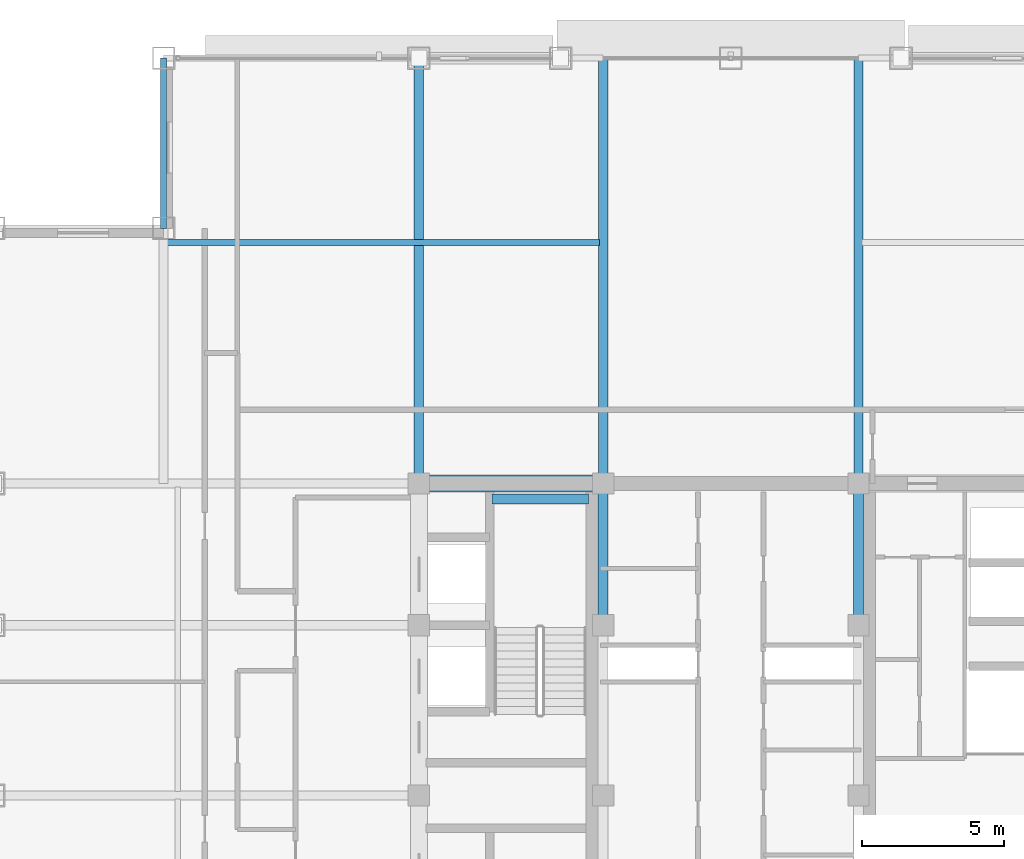
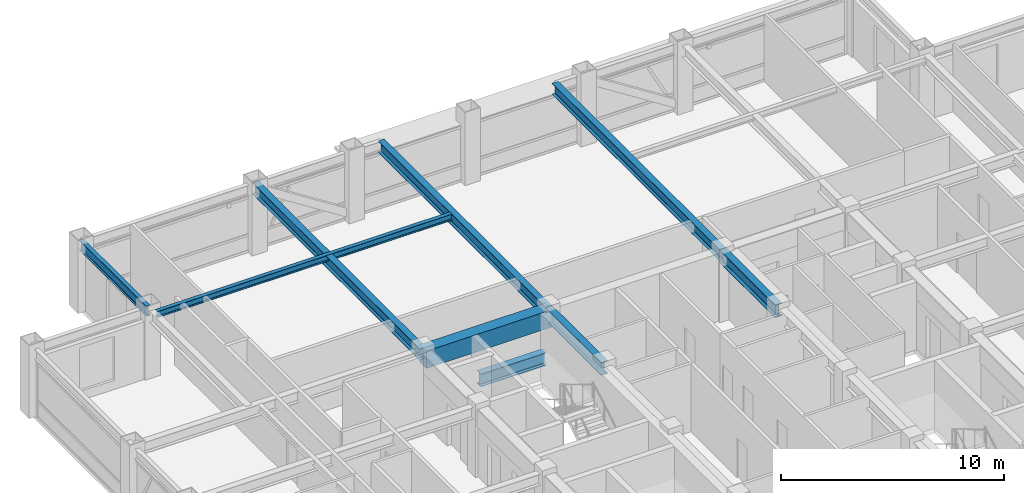
# One storey, part 15 of 32: 9 beams.
"""IFC4 building model written with IfcOpenShell, lengths in metres."""

from ifc_helpers import new_model, si_unit, direction, frame, origin, origin_2d, place, context, subcontext, project, spatial, rectangle, i_section, extrude, source, transform, mapped, material, material_profile, profile_set, type_object, element, save


model = new_model("IFC4")

# Units and contexts
model_context = context("Model", 3, precision=1e-05, world=origin(), true_north=direction((0.0, 1.0)))
body_context = subcontext(model_context, "Body", "Model", "MODEL_VIEW")
ifc_project = project(units=[si_unit("LENGTHUNIT", "METRE"), si_unit("AREAUNIT", "SQUARE_METRE"), si_unit("VOLUMEUNIT", "CUBIC_METRE"), si_unit("PLANEANGLEUNIT", "RADIAN"), si_unit("MASSUNIT", "GRAM", prefix="KILO")], contexts=[model_context])

# Site, building, storey
site_placement = place(None, origin())
site = spatial("IfcSite", under=ifc_project, at=site_placement, CompositionType="ELEMENT")
building_placement = place(site_placement, origin())
building = spatial("IfcBuilding", under=site, at=building_placement, Name="Khorayat Bourse Tower", CompositionType="ELEMENT")
storey_placement = place(building_placement, frame((0.0, 0.0, 342.300048828125)))
storey = spatial("IfcBuildingStorey", under=building, at=storey_placement, Name="L81", CompositionType="ELEMENT", Elevation=342.300048828125)

# Beams
ifc_material_1 = material(Name="Steel ASTM A992 Grade 50", Category="steel")
ifc_material_profile_1 = material_profile(ifc_material_1, i_section(OverallWidth=0.35498046875, OverallDepth=0.695068359375, WebThickness=0.015380859375, FlangeThickness=0.02490234375, FilletRadius=0.01806640625, at=origin_2d()), Name="W690X217")
ifc_profile_set_1 = profile_set([ifc_material_profile_1], Name="Steel ASTM A992 Grade 50")
beam_type_1 = type_object("IfcBeamType", Name="BM-GIRD-690", PredefinedType="BEAM", material=ifc_profile_set_1)
shared_shape_1 = source(origin(), body_context, "Body", "SweptSolid", [
    extrude(i_section(OverallWidth=0.35498046875, OverallDepth=0.695068359375, WebThickness=0.015380859375, FlangeThickness=0.02490234375, FilletRadius=0.01806640625, at=origin_2d()), origin(), (0.0, 0.0, 1.0), 5.0),
])
for number, where, z_axis, x_axis, name in (
    (1, (-4.5, 6.0, 3.3525390625), (0.0, 1.0, 0.0), (-1.0, 0.0, 0.0), "L81 BM-GIRD-690 BM-L81-CRX-08"),
    (2, (4.5, 6.0, 3.3525390625), (0.0, 1.0, 0.0), (-1.0, 0.0, 0.0), "L81 BM-GIRD-690 BM-L81-CRX-12"),
):
    element("IfcBeam", number, at=place(storey_placement, frame(where, z_axis=z_axis, x_axis=x_axis)), inside=storey, type_object=beam_type_1, Name=name, PredefinedType="BEAM", context=body_context, shape_type="MappedRepresentation", body=[
        mapped(shared_shape_1, transform((0.0, 0.0, 0.0), scale=1.0)),
    ])
shared_shape_2 = source(origin(), body_context, "Body", "SweptSolid", [
    extrude(i_section(OverallWidth=0.35498046875, OverallDepth=0.695068359375, WebThickness=0.015380859375, FlangeThickness=0.02490234375, FilletRadius=0.01806640625, at=origin_2d()), origin(), (0.0, 0.0, 1.0), 3.39990234375),
])
beam_1_placement = place(storey_placement, frame((-8.419921875, 10.449951171875, 1.452392578125), z_axis=(1.0, 0.0, 0.0), x_axis=(0.0, 1.0, 0.0)))
element("IfcBeam", 3, at=beam_1_placement, inside=storey, type_object=beam_type_1, Name="L81 BM-GIRD-690 BM-L81-ST2L", PredefinedType="BEAM", context=body_context, shape_type="MappedRepresentation", body=[
    mapped(shared_shape_2, transform((0.0, 0.0, 0.0), scale=1.0)),
])
ifc_material_2 = material(Name="Concrete C60/75", Category="concrete")
ifc_material_profile_2 = material_profile(ifc_material_2, rectangle(XDim=0.60009765625, YDim=0.949951171875, at=origin_2d()), Name="RC 600x950")
ifc_profile_set_2 = profile_set([ifc_material_profile_2], Name="Concrete C60/75")
beam_type_2 = type_object("IfcBeamType", Name="BM-COUP-950", PredefinedType="BEAM", material=ifc_profile_set_2)
shared_shape_3 = source(origin(), body_context, "Body", "SweptSolid", [
    extrude(rectangle(XDim=0.60009765625, YDim=0.949951171875, at=origin_2d()), origin(), (0.0, 0.0, 1.0), 6.5),
])
beam_2_placement = place(storey_placement, frame((-11.0, 11.0, 3.224853515625), z_axis=(1.0, 0.0, 0.0), x_axis=(0.0, 1.0, 0.0)))
element("IfcBeam", 4, at=beam_2_placement, inside=storey, type_object=beam_type_2, Name="L81 BM-COUP-950 BM-L81-CRY-19", PredefinedType="BEAM", context=body_context, shape_type="MappedRepresentation", body=[
    mapped(shared_shape_3, transform((0.0, 0.0, 0.0), scale=1.0)),
])
ifc_material_profile_3 = material_profile(ifc_material_1, i_section(OverallWidth=0.214111328125, OverallDepth=0.549072265625, WebThickness=0.0146484375, FlangeThickness=0.023681640625, FilletRadius=0.013916015625, at=origin_2d()), Name="W530X138")
ifc_profile_set_3 = profile_set([ifc_material_profile_3], Name="Steel ASTM A992 Grade 50")
beam_type_3 = type_object("IfcBeamType", Name="BM-SPAN-530", PredefinedType="SPANDREL", material=ifc_profile_set_3)
shared_shape_4 = source(origin(), body_context, "Body", "SweptSolid", [
    extrude(i_section(OverallWidth=0.214111328125, OverallDepth=0.549072265625, WebThickness=0.0146484375, FlangeThickness=0.023681640625, FilletRadius=0.013916015625, at=origin_2d()), origin(), (0.0, 0.0, 1.0), 6.0),
])
beam_3_placement = place(storey_placement, frame((-20.0, 20.0, 3.425537109375), z_axis=(0.0, 1.0, 0.0), x_axis=(-1.0, 0.0, 0.0)))
element("IfcBeam", 5, at=beam_3_placement, inside=storey, type_object=beam_type_3, Name="L81 BM-SPAN-530 BM-L81-SPN-043", PredefinedType="SPANDREL", context=body_context, shape_type="MappedRepresentation", body=[
    mapped(shared_shape_4, transform((0.0, 0.0, 0.0), scale=1.0)),
])
ifc_material_profile_4 = material_profile(ifc_material_1, i_section(OverallWidth=0.324951171875, OverallDepth=0.615966796875, WebThickness=0.013916015625, FlangeThickness=0.021484375, FilletRadius=0.01611328125, at=origin_2d()), Name="W610X174")
ifc_profile_set_4 = profile_set([ifc_material_profile_4], Name="Steel ASTM A992 Grade 50")
beam_type_4 = type_object("IfcBeamType", Name="BM-GIRD-610", PredefinedType="BEAM", material=ifc_profile_set_4)
shared_shape_5 = source(origin(), body_context, "Body", "SweptSolid", [
    extrude(i_section(OverallWidth=0.324951171875, OverallDepth=0.615966796875, WebThickness=0.013916015625, FlangeThickness=0.021484375, FilletRadius=0.01611328125, at=origin_2d()), origin(), (0.0, 0.0, 1.0), 15.0),
])
for number, where, z_axis, x_axis, name in (
    (6, (-11.0, 11.0, 3.391845703125), (0.0, 1.0, 0.0), (-1.0, 0.0, 0.0), "L81 BM-GIRD-610 BM-L81-RADY-053"),
    (7, (-4.5, 11.0, 3.391845703125), (0.0, 1.0, 0.0), (-1.0, 0.0, 0.0), "L81 BM-GIRD-610 BM-L81-RADY-055"),
    (8, (4.5, 11.0, 3.391845703125), (0.0, 1.0, 0.0), (-1.0, 0.0, 0.0), "L81 BM-GIRD-610 BM-L81-RADY-057"),
):
    element("IfcBeam", number, at=place(storey_placement, frame(where, z_axis=z_axis, x_axis=x_axis)), inside=storey, type_object=beam_type_4, Name=name, PredefinedType="BEAM", context=body_context, shape_type="MappedRepresentation", body=[
        mapped(shared_shape_5, transform((0.0, 0.0, 0.0), scale=1.0)),
    ])
ifc_material_profile_5 = material_profile(ifc_material_1, i_section(OverallWidth=0.202880859375, OverallDepth=0.346923828125, WebThickness=0.0078125, FlangeThickness=0.013427734375, FilletRadius=0.010009765625, at=origin_2d()), Name="W360X64")
ifc_profile_set_5 = profile_set([ifc_material_profile_5], Name="Steel ASTM A992 Grade 50")
beam_type_5 = type_object("IfcBeamType", Name="BM-JOIST-360", PredefinedType="JOIST", material=ifc_profile_set_5)
shared_shape_6 = source(origin(), body_context, "Body", "SweptSolid", [
    extrude(i_section(OverallWidth=0.202880859375, OverallDepth=0.346923828125, WebThickness=0.0078125, FlangeThickness=0.013427734375, FilletRadius=0.010009765625, at=origin_2d()), origin(), (0.0, 0.0, 1.0), 15.240234375),
])
beam_4_placement = place(storey_placement, frame((-19.8701171875, 19.5, 3.5263671875), z_axis=(1.0, 0.0, 0.0), x_axis=(0.0, 1.0, 0.0)))
element("IfcBeam", 9, at=beam_4_placement, inside=storey, type_object=beam_type_5, Name="L81 BM-JOIST-360 BM-L81-JSTX-077", PredefinedType="JOIST", context=body_context, shape_type="MappedRepresentation", body=[
    mapped(shared_shape_6, transform((0.0, 0.0, 0.0), scale=1.0)),
])

save(model, "model.ifc")
